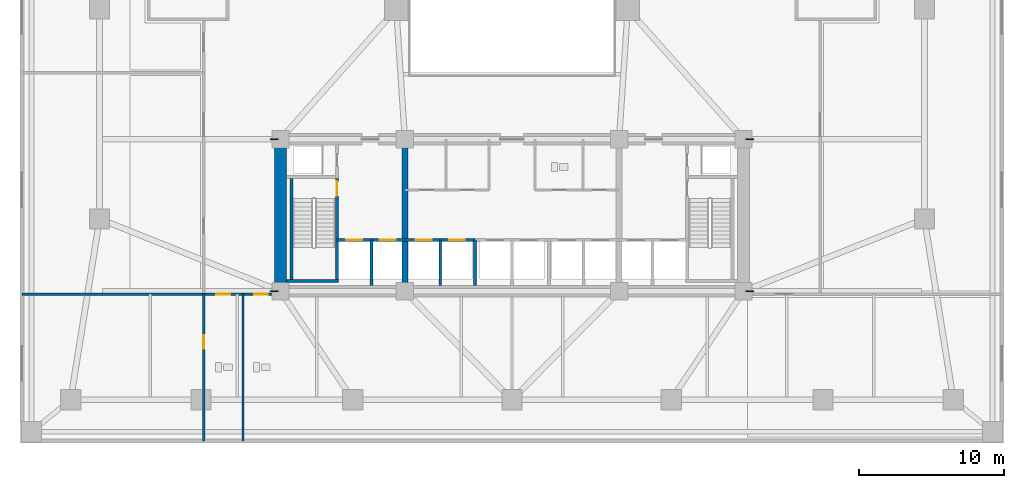
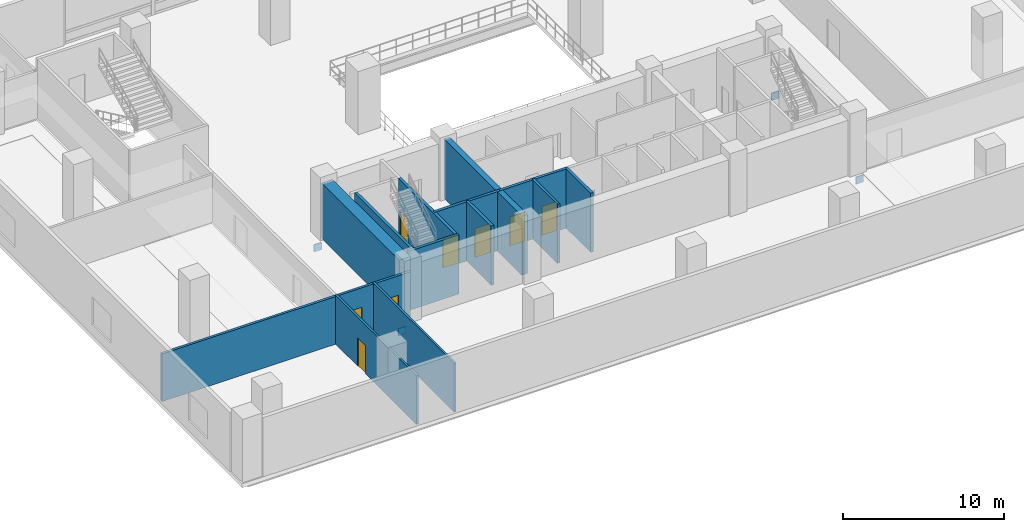
# One storey, part 6 of 15: 13 walls, 8 doors, 4 plates, 8 openings.
"""IFC4 building model written with IfcOpenShell, lengths in metres."""

from ifc_helpers import new_model, si_unit, direction, frame, frame_2d, origin, origin_2d, place, context, subcontext, project, spatial, rectangle, extrude, material, layer, layer_set, type_object, element, fill, save


model = new_model("IFC4")

# Units and contexts
model_context = context("Model", 3, precision=1e-05, world=origin(), true_north=direction((0.0, 1.0)))
body_context = subcontext(model_context, "Body", "Model", "MODEL_VIEW")
ifc_project = project(units=[si_unit("LENGTHUNIT", "METRE"), si_unit("AREAUNIT", "SQUARE_METRE"), si_unit("VOLUMEUNIT", "CUBIC_METRE"), si_unit("PLANEANGLEUNIT", "RADIAN"), si_unit("MASSUNIT", "GRAM", prefix="KILO")], contexts=[model_context])

# Site, building, storey
site_placement = place(None, origin())
site = spatial("IfcSite", under=ifc_project, at=site_placement, CompositionType="ELEMENT")
building_placement = place(site_placement, origin())
building = spatial("IfcBuilding", under=site, at=building_placement, Name="Solmavex Isthmus Hotel", CompositionType="ELEMENT")
storey_placement = place(building_placement, frame((0.0, 0.0, 11.39990234375)))
storey = spatial("IfcBuildingStorey", under=building, at=storey_placement, Name="L03", CompositionType="ELEMENT", Elevation=11.39990234375)

# Plates
ifc_material_1 = material(Name="Steel ASTM A572 Grade 50", Category="steel")
ifc_layer_1 = layer(ifc_material_1, 0.06005859375)
ifc_layer_set_1 = layer_set([ifc_layer_1], Name="Steel ASTM A572 Grade 50")
plate_type = type_object("IfcPlateType", Name="PLT-EMBED-60", PredefinedType="USERDEFINED", material=ifc_layer_set_1)
for number, where, z_axis, x_axis, name in (
    (1, (-16.43603515625, -2.5, -1.15478515625), (0.0, 0.0, 1.0), (1.0, 0.0, 0.0), "Outrigger Strut Core Cast-In Embedment Stiffener Plate 011"),
    (2, (16.43603515625, -2.5, -1.15478515625), (0.0, 0.0, 1.0), (1.0, 0.0, 0.0), "Outrigger Strut Core Cast-In Embedment Stiffener Plate 012"),
    (3, (-16.43603515625, -13.0, -1.15478515625), (0.0, 0.0, 1.0), (1.0, 0.0, 0.0), "Outrigger Strut Core Cast-In Embedment Stiffener Plate 013"),
    (4, (16.43603515625, -13.0, -1.15478515625), (0.0, 0.0, 1.0), (1.0, 0.0, 0.0), "Outrigger Strut Core Cast-In Embedment Stiffener Plate 014"),
):
    element("IfcPlate", number, at=place(storey_placement, frame(where, z_axis=z_axis, x_axis=x_axis)), inside=storey, type_object=plate_type, Name=name, ObjectType="STIFFENER_PLATE", PredefinedType="USERDEFINED", context=body_context, shape_type="SweptSolid", body=[
        extrude(rectangle(XDim=0.550048828125, YDim=0.06005859375, at=origin_2d()), origin(), (0.0, 0.0, 1.0), 0.550048828125),
    ])

# Wall, opening, door
ifc_material_2 = material(Name="Gypsum plasterboard lining", Category="gypsum")
ifc_layer_2 = layer(ifc_material_2, 0.14990234375)
ifc_layer_set_2 = layer_set([ifc_layer_2], Name="Gypsum plasterboard lining")
wall_type_1 = type_object("IfcWallType", Name="IW-CORR-150", PredefinedType="PARTITIONING", material=ifc_layer_set_2)
wall_1_placement = place(storey_placement, frame((-21.300048828125, -23.360107421875, 0.0), z_axis=(0.0, 0.0, 1.0), x_axis=(0.0, 1.0, 0.0)))
wall_1 = element("IfcWall", 5, at=wall_1_placement, inside=storey, type_object=wall_type_1, Name="Interior Partition Wall W-L03-SOUTH-WM", PredefinedType="PARTITIONING", context=body_context, shape_type="SweptSolid", body=[
    extrude(rectangle(XDim=10.16015625, YDim=0.14990234375, at=frame_2d((5.080078125, 0.0))), origin(), (0.0, 0.0, 1.0), 3.7119140625),
])
opening_1_placement = place(wall_1_placement, frame((6.385009765625, 0.0, 0.0)))
opening_1 = element("IfcOpeningElement", 6, at=opening_1_placement, cuts=wall_1, Name="Opening ID-C095", PredefinedType="OPENING", context=body_context, shape_type="SweptSolid", body=[
    extrude(rectangle(XDim=0.949951171875, YDim=2.14990234375, at=frame_2d((0.47509765625, 1.074951171875))), frame((0.0, 0.0849609375, 0.0), z_axis=(0.0, -1.0, 0.0), x_axis=(1.0, 0.0, 0.0)), (0.0, 0.0, 1.0), 0.169921875),
])
ifc_material_3 = material(Name="Hardwood timber", Category="wood")
door_type_1 = type_object("IfcDoorType", Name="IDR-FD60-0950", OperationType="NOTDEFINED", PredefinedType="DOOR", material=ifc_material_3)
door_1_placement = place(opening_1_placement, origin())
door_1 = element("IfcDoor", 7, at=door_1_placement, inside=storey, type_object=door_type_1, Name="Linen Store Door L03", OperationType="SINGLE_SWING_LEFT", OverallHeight=2.14990234375, OverallWidth=0.949951171875, PredefinedType="DOOR", context=body_context, shape_type="SweptSolid", body=[
    extrude(rectangle(XDim=0.949951171875, YDim=2.14990234375, at=frame_2d((0.47509765625, 1.074951171875))), frame((0.0, 0.02490234375, 0.0), z_axis=(0.0, -1.0, 0.0), x_axis=(1.0, 0.0, 0.0)), (0.0, 0.0, 1.0), 0.050048828125),
])
fill(opening_1, door_1)

# Walls
wall_2_placement = place(storey_placement, frame((-18.60009765625, -23.360107421875, 0.0), z_axis=(0.0, 0.0, 1.0), x_axis=(0.0, 1.0, 0.0)))
element("IfcWall", 8, at=wall_2_placement, inside=storey, type_object=wall_type_1, Name="Interior Partition Wall W-L03-SOUTH-WM2", PredefinedType="PARTITIONING", context=body_context, shape_type="SweptSolid", body=[
    extrude(rectangle(XDim=10.16015625, YDim=0.14990234375, at=frame_2d((5.080078125, 0.0))), origin(), (0.0, 0.0, 1.0), 3.7119140625),
])
ifc_material_4 = material(Name="Concrete C40/50", Category="concrete")
ifc_layer_3 = layer(ifc_material_4, 0.179931640625)
ifc_layer_set_3 = layer_set([ifc_layer_3], Name="Concrete C40/50")
wall_type_2 = type_object("IfcWallType", Name="IW-SHAFT-180", PredefinedType="PARTITIONING", material=ifc_layer_set_3)
wall_3_placement = place(storey_placement, frame((-4.949951171875, -12.60009765625, 0.0), z_axis=(0.0, 0.0, 1.0), x_axis=(0.0, 1.0, 0.0)))
element("IfcWall", 9, at=wall_3_placement, inside=storey, type_object=wall_type_2, Name="Interior Partition Wall W-L03-SH-PLL-M", PredefinedType="PARTITIONING", context=body_context, shape_type="SweptSolid", body=[
    extrude(rectangle(XDim=3.150146484375, YDim=0.179931640625, at=frame_2d((1.5751953125, 0.0))), origin(), (0.0, 0.0, 1.0), 4.5),
])

# Wall, openings, doors
wall_4_placement = place(storey_placement, frame((-33.860107421875, -13.199951171875, 0.0), z_axis=(0.0, 0.0, 1.0), x_axis=(1.0, 0.0, 0.0)))
wall_4 = element("IfcWall", 10, at=wall_4_placement, inside=storey, type_object=wall_type_2, Name="Interior Partition Wall W-L03-SOUTH-W", PredefinedType="PARTITIONING", context=body_context, shape_type="SweptSolid", body=[
    extrude(rectangle(XDim=17.860107421875, YDim=0.179931640625, at=frame_2d((8.93017578125, 0.0))), origin(), (0.0, 0.0, 1.0), 3.629638671875),
])
opening_2_placement = place(wall_4_placement, frame((13.43505859375, 0.0, 0.0)))
opening_2 = element("IfcOpeningElement", 11, at=opening_2_placement, cuts=wall_4, Name="Opening ID-C095", PredefinedType="OPENING", context=body_context, shape_type="SweptSolid", body=[
    extrude(rectangle(XDim=0.949951171875, YDim=2.14990234375, at=frame_2d((0.47509765625, 1.074951171875))), frame((0.0, 0.099853515625, 0.0), z_axis=(0.0, -1.0, 0.0), x_axis=(1.0, 0.0, 0.0)), (0.0, 0.0, 1.0), 0.199951171875),
])
opening_3_placement = place(wall_4_placement, frame((16.034912109375, 0.0, 0.0)))
opening_3 = element("IfcOpeningElement", 12, at=opening_3_placement, cuts=wall_4, Name="Opening ID-C095", PredefinedType="OPENING", context=body_context, shape_type="SweptSolid", body=[
    extrude(rectangle(XDim=0.949951171875, YDim=2.14990234375, at=frame_2d((0.47509765625, 1.074951171875))), frame((0.0, 0.099853515625, 0.0), z_axis=(0.0, -1.0, 0.0), x_axis=(1.0, 0.0, 0.0)), (0.0, 0.0, 1.0), 0.199951171875),
])
door_2_placement = place(opening_2_placement, frame((0.949951171875, 0.0, 0.0), z_axis=(0.0, 0.0, 1.0), x_axis=(-1.0, 0.0, 0.0)))
door_2 = element("IfcDoor", 13, at=door_2_placement, inside=storey, type_object=door_type_1, Name="Restroom Door L03", OperationType="SINGLE_SWING_LEFT", OverallHeight=2.14990234375, OverallWidth=0.949951171875, PredefinedType="DOOR", context=body_context, shape_type="SweptSolid", body=[
    extrude(rectangle(XDim=0.949951171875, YDim=2.14990234375, at=frame_2d((0.47509765625, 1.074951171875))), frame((0.0, 0.02490234375, 0.0), z_axis=(0.0, -1.0, 0.0), x_axis=(1.0, 0.0, 0.0)), (0.0, 0.0, 1.0), 0.050048828125),
])
fill(opening_2, door_2)
door_3_placement = place(opening_3_placement, frame((0.949951171875, 0.0, 0.0), z_axis=(0.0, 0.0, 1.0), x_axis=(-1.0, 0.0, 0.0)))
door_3 = element("IfcDoor", 14, at=door_3_placement, inside=storey, type_object=door_type_1, Name="Accessible WC Door L03", OperationType="SINGLE_SWING_RIGHT", OverallHeight=2.14990234375, OverallWidth=0.949951171875, PredefinedType="DOOR", context=body_context, shape_type="SweptSolid", body=[
    extrude(rectangle(XDim=0.949951171875, YDim=2.14990234375, at=frame_2d((0.47509765625, 1.074951171875))), frame((0.0, 0.02490234375, 0.0), z_axis=(0.0, -1.0, 0.0), x_axis=(1.0, 0.0, 0.0)), (0.0, 0.0, 1.0), 0.050048828125),
])
fill(opening_3, door_3)

ifc_layer_4 = layer(ifc_material_4, 0.199951171875)
ifc_layer_set_4 = layer_set([ifc_layer_4], Name="Concrete C40/50")
wall_type_3 = type_object("IfcWallType", Name="IW-SHAFT-200", PredefinedType="PARTITIONING", material=ifc_layer_set_4)
wall_5_placement = place(storey_placement, frame((-12.10009765625, -9.449951171875, 0.0), z_axis=(0.0, 0.0, 1.0), x_axis=(1.0, 0.0, 0.0)))
wall_5 = element("IfcWall", 15, at=wall_5_placement, inside=storey, type_object=wall_type_3, Name="Interior Partition Wall W-L03-FFLW-S", PredefinedType="PARTITIONING", context=body_context, shape_type="SweptSolid", body=[
    extrude(rectangle(XDim=4.7001953125, YDim=0.199951171875, at=frame_2d((2.35009765625, 0.0))), origin(), (0.0, 0.0, 1.0), 4.5),
])
opening_4_placement = place(wall_5_placement, frame((0.64990234375, 0.0, 0.0)))
opening_4 = element("IfcOpeningElement", 16, at=opening_4_placement, cuts=wall_5, Name="Opening LD-FF", PredefinedType="OPENING", context=body_context, shape_type="SweptSolid", body=[
    extrude(rectangle(XDim=1.10009765625, YDim=2.199951171875, at=frame_2d((0.550048828125, 1.10009765625))), frame((0.0, 0.10986328125, 0.0), z_axis=(0.0, -1.0, 0.0), x_axis=(1.0, 0.0, 0.0)), (0.0, 0.0, 1.0), 0.219970703125),
])
opening_5_placement = place(wall_5_placement, frame((2.949951171875, 0.0, 0.0)))
opening_5 = element("IfcOpeningElement", 17, at=opening_5_placement, cuts=wall_5, Name="Opening LD-SV", PredefinedType="OPENING", context=body_context, shape_type="SweptSolid", body=[
    extrude(rectangle(XDim=1.10009765625, YDim=2.199951171875, at=frame_2d((0.550048828125, 1.10009765625))), frame((0.0, 0.10986328125, 0.0), z_axis=(0.0, -1.0, 0.0), x_axis=(1.0, 0.0, 0.0)), (0.0, 0.0, 1.0), 0.219970703125),
])
ifc_material_5 = material(Name="Stainless steel 316", Category="steel")
door_type_2 = type_object("IfcDoorType", Name="LDR-FF-1100", OperationType="NOTDEFINED", PredefinedType="DOOR", material=ifc_material_5)
door_4_placement = place(opening_4_placement, origin())
door_4 = element("IfcDoor", 18, at=door_4_placement, inside=storey, type_object=door_type_2, Name="Lift Landing Door FFL-1 L03", OperationType="SLIDING_TO_LEFT", OverallHeight=2.199951171875, OverallWidth=1.10009765625, PredefinedType="DOOR", context=body_context, shape_type="SweptSolid", body=[
    extrude(rectangle(XDim=1.10009765625, YDim=2.199951171875, at=frame_2d((0.550048828125, 1.10009765625))), frame((0.0, 0.02490234375, 0.0), z_axis=(0.0, -1.0, 0.0), x_axis=(1.0, 0.0, 0.0)), (0.0, 0.0, 1.0), 0.050048828125),
])
fill(opening_4, door_4)
door_type_3 = type_object("IfcDoorType", Name="LDR-SV-1100", OperationType="NOTDEFINED", PredefinedType="DOOR", material=ifc_material_5)
door_5_placement = place(opening_5_placement, origin())
door_5 = element("IfcDoor", 19, at=door_5_placement, inside=storey, type_object=door_type_3, Name="Lift Landing Door SVL-1 L03", OperationType="SLIDING_TO_RIGHT", OverallHeight=2.199951171875, OverallWidth=1.10009765625, PredefinedType="DOOR", context=body_context, shape_type="SweptSolid", body=[
    extrude(rectangle(XDim=1.10009765625, YDim=2.199951171875, at=frame_2d((0.550048828125, 1.10009765625))), frame((0.0, 0.02490234375, 0.0), z_axis=(0.0, -1.0, 0.0), x_axis=(1.0, 0.0, 0.0)), (0.0, 0.0, 1.0), 0.050048828125),
])
fill(opening_5, door_5)

# Wall
wall_6_placement = place(storey_placement, frame((-9.699951171875, -12.60009765625, 0.0), z_axis=(0.0, 0.0, 1.0), x_axis=(0.0, 1.0, 0.0)))
element("IfcWall", 20, at=wall_6_placement, inside=storey, type_object=wall_type_3, Name="Interior Partition Wall W-L03-FFLW-M", PredefinedType="PARTITIONING", context=body_context, shape_type="SweptSolid", body=[
    extrude(rectangle(XDim=3.150146484375, YDim=0.199951171875, at=frame_2d((1.5751953125, 0.0))), origin(), (0.0, 0.0, 1.0), 4.5),
])

# Wall, openings, doors
wall_7_placement = place(storey_placement, frame((-7.39990234375, -9.449951171875, 0.0), z_axis=(0.0, 0.0, 1.0), x_axis=(1.0, 0.0, 0.0)))
wall_7 = element("IfcWall", 21, at=wall_7_placement, inside=storey, type_object=wall_type_3, Name="Interior Partition Wall W-L03-SH-PLL", PredefinedType="PARTITIONING", context=body_context, shape_type="SweptSolid", body=[
    extrude(rectangle(XDim=4.849853515625, YDim=0.199951171875, at=frame_2d((2.4248046875, 0.0))), origin(), (0.0, 0.0, 1.0), 4.5),
])
opening_6_placement = place(wall_7_placement, frame((0.75, 0.0, 0.0)))
opening_6 = element("IfcOpeningElement", 22, at=opening_6_placement, cuts=wall_7, Name="Opening LD-PL", PredefinedType="OPENING", context=body_context, shape_type="SweptSolid", body=[
    extrude(rectangle(XDim=1.10009765625, YDim=2.199951171875, at=frame_2d((0.550048828125, 1.10009765625))), frame((0.0, 0.10986328125, 0.0), z_axis=(0.0, -1.0, 0.0), x_axis=(1.0, 0.0, 0.0)), (0.0, 0.0, 1.0), 0.219970703125),
])
opening_7_placement = place(wall_7_placement, frame((3.050048828125, 0.0, 0.0)))
opening_7 = element("IfcOpeningElement", 23, at=opening_7_placement, cuts=wall_7, Name="Opening LD-PL", PredefinedType="OPENING", context=body_context, shape_type="SweptSolid", body=[
    extrude(rectangle(XDim=1.10009765625, YDim=2.199951171875, at=frame_2d((0.550048828125, 1.10009765625))), frame((0.0, 0.10986328125, 0.0), z_axis=(0.0, -1.0, 0.0), x_axis=(1.0, 0.0, 0.0)), (0.0, 0.0, 1.0), 0.219970703125),
])
door_type_4 = type_object("IfcDoorType", Name="LDR-PL-1100", OperationType="NOTDEFINED", PredefinedType="DOOR", material=ifc_material_5)
door_6_placement = place(opening_6_placement, origin())
door_6 = element("IfcDoor", 24, at=door_6_placement, inside=storey, type_object=door_type_4, Name="Lift Landing Door PLL1 L03", OperationType="SLIDING_TO_LEFT", OverallHeight=2.199951171875, OverallWidth=1.10009765625, PredefinedType="DOOR", context=body_context, shape_type="SweptSolid", body=[
    extrude(rectangle(XDim=1.10009765625, YDim=2.199951171875, at=frame_2d((0.550048828125, 1.10009765625))), frame((0.0, 0.02490234375, 0.0), z_axis=(0.0, -1.0, 0.0), x_axis=(1.0, 0.0, 0.0)), (0.0, 0.0, 1.0), 0.050048828125),
])
fill(opening_6, door_6)
door_7_placement = place(opening_7_placement, origin())
door_7 = element("IfcDoor", 25, at=door_7_placement, inside=storey, type_object=door_type_4, Name="Lift Landing Door PLL2 L03", OperationType="SLIDING_TO_LEFT", OverallHeight=2.199951171875, OverallWidth=1.10009765625, PredefinedType="DOOR", context=body_context, shape_type="SweptSolid", body=[
    extrude(rectangle(XDim=1.10009765625, YDim=2.199951171875, at=frame_2d((0.550048828125, 1.10009765625))), frame((0.0, 0.02490234375, 0.0), z_axis=(0.0, -1.0, 0.0), x_axis=(1.0, 0.0, 0.0)), (0.0, 0.0, 1.0), 0.050048828125),
])
fill(opening_7, door_7)

# Walls
wall_8_placement = place(storey_placement, frame((-2.550048828125, -12.60009765625, 0.0), z_axis=(0.0, 0.0, 1.0), x_axis=(0.0, 1.0, 0.0)))
element("IfcWall", 26, at=wall_8_placement, inside=storey, type_object=wall_type_3, Name="Interior Partition Wall W-L03-SH-PLL-E", PredefinedType="PARTITIONING", context=body_context, shape_type="SweptSolid", body=[
    extrude(rectangle(XDim=3.150146484375, YDim=0.199951171875, at=frame_2d((1.5751953125, 0.0))), origin(), (0.0, 0.0, 1.0), 4.5),
])
ifc_material_6 = material(Name="Concrete C70/85", Category="concrete")
ifc_layer_5 = layer(ifc_material_6, 0.39990234375)
ifc_layer_set_5 = layer_set([ifc_layer_5], Name="Concrete C70/85")
wall_type_4 = type_object("IfcWallType", Name="WALL-CW-400L", PredefinedType="SHEAR", material=ifc_layer_set_5)
wall_9_placement = place(storey_placement, frame((-7.39990234375, -12.60009765625, 0.0), z_axis=(0.0, 0.0, 1.0), x_axis=(0.0, 1.0, 0.0)))
element("IfcWall", 27, at=wall_9_placement, inside=storey, type_object=wall_type_4, Name="Core Cross Shear Wall C1 L03", PredefinedType="SHEAR", context=body_context, shape_type="SweptSolid", body=[
    extrude(rectangle(XDim=9.7001953125, YDim=0.39990234375, at=frame_2d((4.85009765625, 0.0))), origin(), (0.0, 0.0, 1.0), 4.5),
])
ifc_layer_6 = layer(ifc_material_6, 0.800048828125)
ifc_layer_set_6 = layer_set([ifc_layer_6], Name="Concrete C70/85")
wall_type_5 = type_object("IfcWallType", Name="WALL-CW-800", PredefinedType="SHEAR", material=ifc_layer_set_6)
wall_10_placement = place(storey_placement, frame((-16.0, -12.60009765625, 0.0), z_axis=(0.0, 0.0, 1.0), x_axis=(0.0, 1.0, 0.0)))
element("IfcWall", 28, at=wall_10_placement, inside=storey, type_object=wall_type_5, Name="Core Shear Wall West L03", PredefinedType="SHEAR", context=body_context, shape_type="SweptSolid", body=[
    extrude(rectangle(XDim=9.7001953125, YDim=0.800048828125, at=frame_2d((4.85009765625, 0.0))), origin(), (0.0, 0.0, 1.0), 4.22021484375),
])
ifc_layer_7 = layer(ifc_material_4, 0.199951171875)
ifc_layer_set_7 = layer_set([ifc_layer_7], Name="Concrete C40/50")
wall_type_6 = type_object("IfcWallType", Name="WALL-SW-200", PredefinedType="SOLIDWALL", material=ifc_layer_set_7)
wall_11_placement = place(storey_placement, frame((-15.60009765625, -12.300048828125, 0.0), z_axis=(0.0, 0.0, 1.0), x_axis=(1.0, 0.0, 0.0)))
element("IfcWall", 29, at=wall_11_placement, inside=storey, type_object=wall_type_6, Name="Stairwell Structural Wall SW-L03-ST1-S", PredefinedType="SOLIDWALL", context=body_context, shape_type="SweptSolid", body=[
    extrude(rectangle(XDim=3.60009765625, YDim=0.199951171875, at=frame_2d((1.800048828125, 0.0))), origin(), (0.0, 0.0, 1.0), 4.5),
])
wall_12_placement = place(storey_placement, frame((-15.25, -12.199951171875, 0.0), z_axis=(0.0, 0.0, 1.0), x_axis=(0.0, 1.0, 0.0)))
element("IfcWall", 30, at=wall_12_placement, inside=storey, type_object=wall_type_6, Name="Stairwell Structural Wall SW-L03-ST1-W", PredefinedType="SOLIDWALL", context=body_context, shape_type="SweptSolid", body=[
    extrude(rectangle(XDim=7.0, YDim=0.199951171875, at=frame_2d((3.5, 0.0))), origin(), (0.0, 0.0, 1.0), 4.5),
])

# Wall, opening, door
wall_13_placement = place(storey_placement, frame((-12.10009765625, -12.199951171875, 0.0), z_axis=(0.0, 0.0, 1.0), x_axis=(0.0, 1.0, 0.0)))
wall_13 = element("IfcWall", 31, at=wall_13_placement, inside=storey, type_object=wall_type_6, Name="Stairwell Structural Wall SW-L03-ST1-E", PredefinedType="SOLIDWALL", context=body_context, shape_type="SweptSolid", body=[
    extrude(rectangle(XDim=7.0, YDim=0.199951171875, at=frame_2d((3.5, 0.0))), origin(), (0.0, 0.0, 1.0), 4.5),
])
opening_8_placement = place(wall_13_placement, frame((5.800048828125, 0.0, 0.0)))
opening_8 = element("IfcOpeningElement", 32, at=opening_8_placement, cuts=wall_13, Name="Opening ID-F100", PredefinedType="OPENING", context=body_context, shape_type="SweptSolid", body=[
    extrude(rectangle(XDim=1.0, YDim=2.10009765625, at=frame_2d((0.5, 1.050048828125))), frame((0.0, 0.10986328125, 0.0), z_axis=(0.0, -1.0, 0.0), x_axis=(1.0, 0.0, 0.0)), (0.0, 0.0, 1.0), 0.219970703125),
])
ifc_material_7 = material(Name="Steel ASTM A500 Grade C", Category="steel")
door_type_5 = type_object("IfcDoorType", Name="IDR-FD90-1000", OperationType="NOTDEFINED", PredefinedType="DOOR", material=ifc_material_7)
door_8_placement = place(opening_8_placement, frame((1.0, 0.0, 0.0), z_axis=(0.0, 0.0, 1.0), x_axis=(-1.0, 0.0, 0.0)))
door_8 = element("IfcDoor", 33, at=door_8_placement, inside=storey, type_object=door_type_5, Name="Stair ST-1 Fire Door L03", OperationType="SINGLE_SWING_LEFT", OverallHeight=2.10009765625, OverallWidth=1.0, PredefinedType="DOOR", context=body_context, shape_type="SweptSolid", body=[
    extrude(rectangle(XDim=1.0, YDim=2.10009765625, at=frame_2d((0.5, 1.050048828125))), frame((0.0, 0.02490234375, 0.0), z_axis=(0.0, -1.0, 0.0), x_axis=(1.0, 0.0, 0.0)), (0.0, 0.0, 1.0), 0.050048828125),
])
fill(opening_8, door_8)

save(model, "model.ifc")
